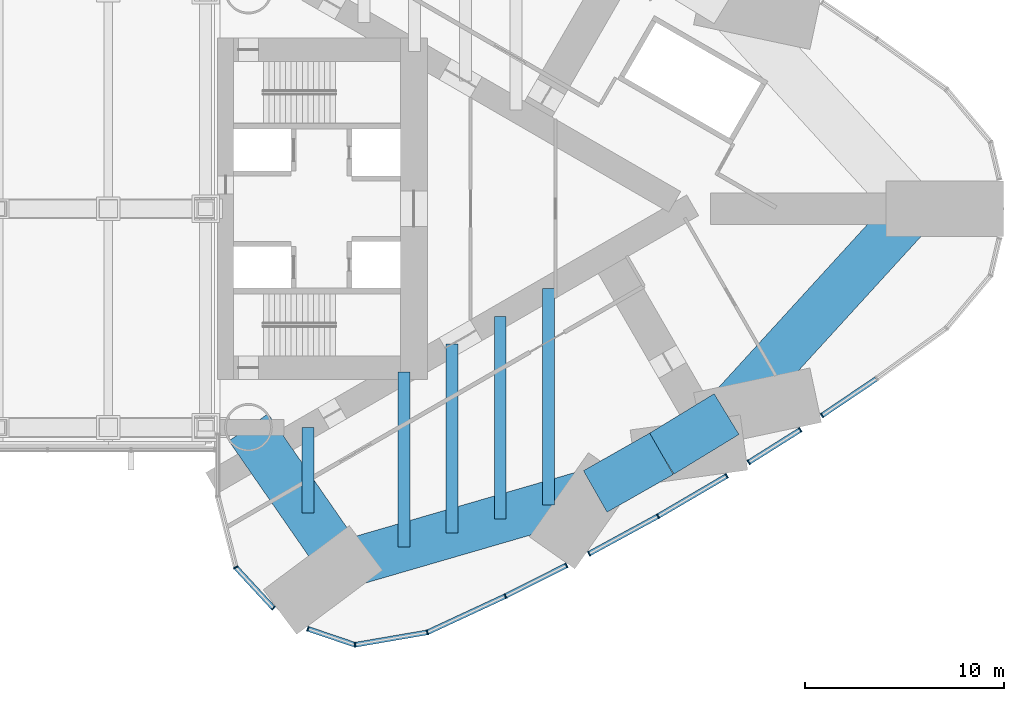
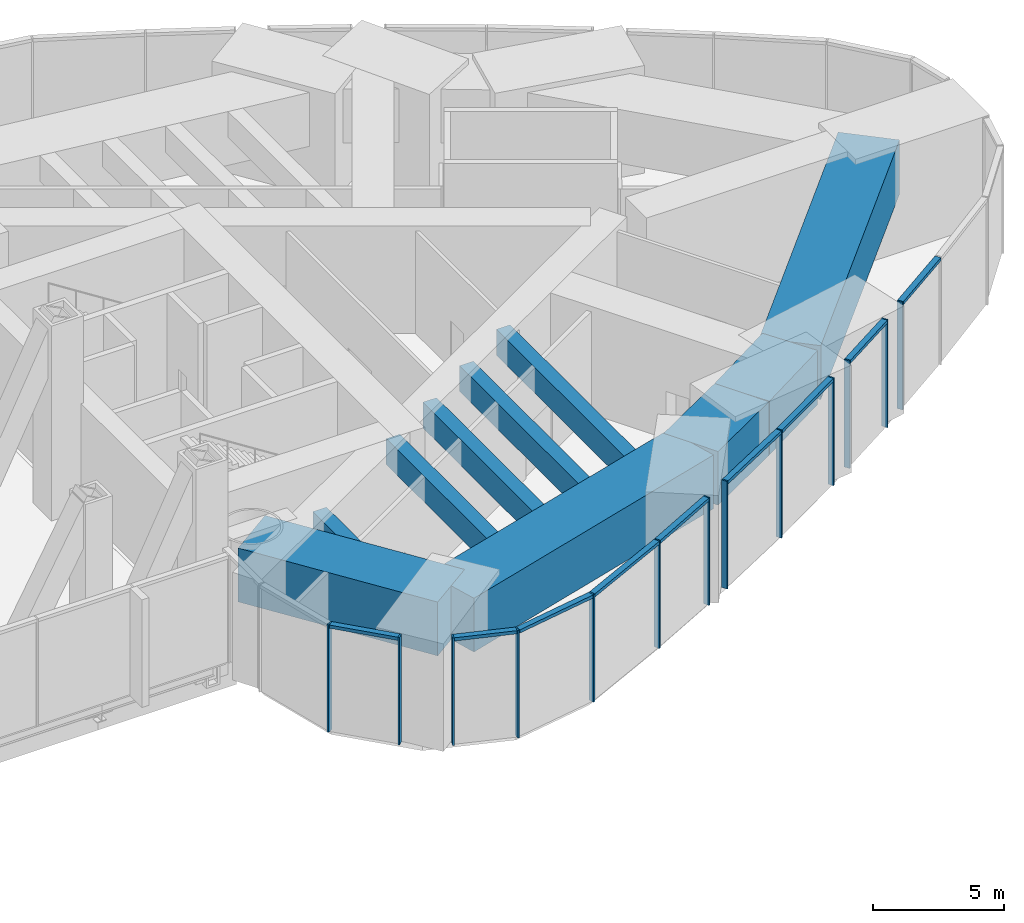
# One storey, part 9 of 21: 22 members, 10 beams, 5 elements without a shape of their own.
"""IFC4 building model written with IfcOpenShell, lengths in metres."""

from ifc_helpers import new_model, si_unit, direction, frame, origin, origin_2d, place, context, subcontext, project, spatial, rectangle, hollow_rectangle, extrude, material, material_profile, profile_set, type_object, element, aggregate, save


model = new_model("IFC4")

# Units and contexts
model_context = context("Model", 3, precision=1e-05, world=origin(), true_north=direction((0.0, 1.0)))
body_context = subcontext(model_context, "Body", "Model", "MODEL_VIEW")
ifc_project = project(units=[si_unit("LENGTHUNIT", "METRE"), si_unit("AREAUNIT", "SQUARE_METRE"), si_unit("VOLUMEUNIT", "CUBIC_METRE"), si_unit("PLANEANGLEUNIT", "RADIAN"), si_unit("MASSUNIT", "GRAM", prefix="KILO")], contexts=[model_context])

# Site, building, storey
site_placement = place(None, origin())
site = spatial("IfcSite", under=ifc_project, at=site_placement, CompositionType="ELEMENT")
building_placement = place(site_placement, origin())
building = spatial("IfcBuilding", under=site, at=building_placement, Name="Lancet Gate Hotel", CompositionType="ELEMENT")
storey_placement = place(building_placement, frame((0.0, 0.0, 205.300048828125)))
storey = spatial("IfcBuildingStorey", under=building, at=storey_placement, Name="L55", CompositionType="ELEMENT", Elevation=205.300048828125)

# Curtain wall, members
ifc_material_1 = material(Name="Aluminium curtain wall", Category="aluminium")
curtain_wall_type = type_object("IfcCurtainWallType", Name="Refuge storey louvred curtain wall", PredefinedType="USERDEFINED", material=ifc_material_1)
curtain_wall_1_placement = place(storey_placement, origin())
curtain_wall_1 = element("IfcCurtainWall", 1, at=curtain_wall_1_placement, inside=storey, type_object=curtain_wall_type, Name="T2 L55 curtain wall 1", ObjectType="LANTERN GLAZING", PredefinedType="USERDEFINED")
ifc_material_2 = material(Name="Aluminium mullion", Category="aluminium")
ifc_material_profile_1 = material_profile(ifc_material_2, rectangle(XDim=0.06494140625, YDim=0.25, at=origin_2d()), Name="MULLION 65x250")
ifc_profile_set_1 = profile_set([ifc_material_profile_1], Name="Aluminium mullion")
member_type_1 = type_object("IfcMemberType", Name="Aluminium mullion 65x250", PredefinedType="MULLION", material=ifc_profile_set_1)
member_1_placement = place(storey_placement, frame((28.408935546875, -18.04443359375, 0.0), z_axis=(0.0, 0.0, 1.0), x_axis=(0.446204766842, -0.894930894565, 0.0)))
member_1 = element("IfcMember", 2, at=member_1_placement, type_object=member_type_1, Name="T2 L55 curtain wall 1 mullion 3", PredefinedType="MULLION", context=body_context, shape_type="SweptSolid", body=[
    extrude(rectangle(XDim=0.06494140625, YDim=0.25, at=origin_2d()), origin(), (0.0, 0.0, 1.0), 5.0),
])
member_2_placement = place(storey_placement, frame((30.309326171875, -20.10009765625, 0.0), z_axis=(0.0, 0.0, 1.0), x_axis=(0.67883123083, -0.734294327943, 0.0)))
member_2 = element("IfcMember", 3, at=member_2_placement, type_object=member_type_1, Name="T2 L55 curtain wall 1 mullion 4", PredefinedType="MULLION", context=body_context, shape_type="SweptSolid", body=[
    extrude(rectangle(XDim=0.06494140625, YDim=0.25, at=origin_2d()), origin(), (0.0, 0.0, 1.0), 5.0),
])

curtain_wall_2_placement = place(storey_placement, origin())
curtain_wall_2 = element("IfcCurtainWall", 4, at=curtain_wall_2_placement, inside=storey, type_object=curtain_wall_type, Name="T2 L55 curtain wall 2", ObjectType="LANTERN GLAZING", PredefinedType="USERDEFINED")
member_3_placement = place(storey_placement, frame((32.04248046875, -21.13818359375, 0.0), z_axis=(0.0, 0.0, 1.0), x_axis=(0.946952368511, -0.321373943827, 0.0)))
member_3 = element("IfcMember", 5, at=member_3_placement, type_object=member_type_1, Name="T2 L55 curtain wall 2 mullion 1", PredefinedType="MULLION", context=body_context, shape_type="SweptSolid", body=[
    extrude(rectangle(XDim=0.06494140625, YDim=0.25, at=origin_2d()), origin(), (0.0, 0.0, 1.0), 5.0),
])
member_4_placement = place(storey_placement, frame((34.412109375, -21.9423828125, 0.0), z_axis=(0.0, 0.0, 1.0), x_axis=(0.999558824872, -0.029701104706, 0.0)))
member_4 = element("IfcMember", 6, at=member_4_placement, type_object=member_type_1, Name="T2 L55 curtain wall 2 mullion 2", PredefinedType="MULLION", context=body_context, shape_type="SweptSolid", body=[
    extrude(rectangle(XDim=0.06494140625, YDim=0.25, at=origin_2d()), origin(), (0.0, 0.0, 1.0), 5.0),
])
member_5_placement = place(storey_placement, frame((38.05126953125, -21.31689453125, 0.0), z_axis=(0.0, 0.0, 1.0), x_axis=(0.951355493327, 0.308095318555, 0.0)))
member_5 = element("IfcMember", 7, at=member_5_placement, type_object=member_type_1, Name="T2 L55 curtain wall 2 mullion 3", PredefinedType="MULLION", context=body_context, shape_type="SweptSolid", body=[
    extrude(rectangle(XDim=0.06494140625, YDim=0.25, at=origin_2d()), origin(), (0.0, 0.0, 1.0), 5.0),
])
member_6_placement = place(storey_placement, frame((41.98193359375, -19.490966796875, 0.0), z_axis=(0.0, 0.0, 1.0), x_axis=(0.900945073021, 0.433933146232, 0.0)))
member_6 = element("IfcMember", 8, at=member_6_placement, type_object=member_type_1, Name="T2 L55 curtain wall 2 mullion 4", PredefinedType="MULLION", context=body_context, shape_type="SweptSolid", body=[
    extrude(rectangle(XDim=0.06494140625, YDim=0.25, at=origin_2d()), origin(), (0.0, 0.0, 1.0), 5.0),
])
member_7_placement = place(storey_placement, frame((45.04443359375, -17.94873046875, 0.0), z_axis=(0.0, 0.0, 1.0), x_axis=(0.893121465596, 0.449815570752, 0.0)))
member_7 = element("IfcMember", 9, at=member_7_placement, type_object=member_type_1, Name="T2 L55 curtain wall 2 mullion 5", PredefinedType="MULLION", context=body_context, shape_type="SweptSolid", body=[
    extrude(rectangle(XDim=0.06494140625, YDim=0.25, at=origin_2d()), origin(), (0.0, 0.0, 1.0), 5.0),
])

curtain_wall_3_placement = place(storey_placement, origin())
curtain_wall_3 = element("IfcCurtainWall", 10, at=curtain_wall_3_placement, inside=storey, type_object=curtain_wall_type, Name="T2 L55 curtain wall 3", ObjectType="LANTERN GLAZING", PredefinedType="USERDEFINED")
member_8_placement = place(storey_placement, frame((46.186279296875, -17.360107421875, 0.0), z_axis=(0.0, 0.0, 1.0), x_axis=(0.878409907967, 0.477907976063, 0.0)))
member_8 = element("IfcMember", 11, at=member_8_placement, type_object=member_type_1, Name="T2 L55 curtain wall 3 mullion 1", PredefinedType="MULLION", context=body_context, shape_type="SweptSolid", body=[
    extrude(rectangle(XDim=0.06494140625, YDim=0.25, at=origin_2d()), origin(), (0.0, 0.0, 1.0), 5.0),
])
member_9_placement = place(storey_placement, frame((49.65966796875, -15.47021484375, 0.0), z_axis=(0.0, 0.0, 1.0), x_axis=(0.870672329718, 0.491863491492, 0.0)))
member_9 = element("IfcMember", 12, at=member_9_placement, type_object=member_type_1, Name="T2 L55 curtain wall 3 mullion 2", PredefinedType="MULLION", context=body_context, shape_type="SweptSolid", body=[
    extrude(rectangle(XDim=0.06494140625, YDim=0.25, at=origin_2d()), origin(), (0.0, 0.0, 1.0), 5.0),
])
member_10_placement = place(storey_placement, frame((53.114990234375, -13.44580078125, 0.0), z_axis=(0.0, 0.0, 1.0), x_axis=(0.862815009772, 0.505519790822, 0.0)))
member_10 = element("IfcMember", 13, at=member_10_placement, type_object=member_type_1, Name="T2 L55 curtain wall 3 mullion 3", PredefinedType="MULLION", context=body_context, shape_type="SweptSolid", body=[
    extrude(rectangle(XDim=0.06494140625, YDim=0.25, at=origin_2d()), origin(), (0.0, 0.0, 1.0), 5.0),
])

curtain_wall_4_placement = place(storey_placement, origin())
curtain_wall_4 = element("IfcCurtainWall", 14, at=curtain_wall_4_placement, inside=storey, type_object=curtain_wall_type, Name="T2 L55 curtain wall 4", ObjectType="LANTERN GLAZING", PredefinedType="USERDEFINED")
member_11_placement = place(storey_placement, frame((54.219970703125, -12.7626953125, 0.0), z_axis=(0.0, 0.0, 1.0), x_axis=(0.846352453444, 0.532623248225, 0.0)))
member_11 = element("IfcMember", 15, at=member_11_placement, type_object=member_type_1, Name="T2 L55 curtain wall 4 mullion 1", PredefinedType="MULLION", context=body_context, shape_type="SweptSolid", body=[
    extrude(rectangle(XDim=0.06494140625, YDim=0.25, at=origin_2d()), origin(), (0.0, 0.0, 1.0), 5.0),
])
member_12_placement = place(storey_placement, frame((56.81591796875, -11.129150390625, 0.0), z_axis=(0.0, 0.0, 1.0), x_axis=(0.846352453444, 0.532623248225, 0.0)))
member_12 = element("IfcMember", 16, at=member_12_placement, type_object=member_type_1, Name="T2 L55 curtain wall 4 mullion 2", PredefinedType="MULLION", context=body_context, shape_type="SweptSolid", body=[
    extrude(rectangle(XDim=0.06494140625, YDim=0.25, at=origin_2d()), origin(), (0.0, 0.0, 1.0), 5.0),
])

# Curtain wall, member
curtain_wall_5_placement = place(storey_placement, origin())
curtain_wall_5 = element("IfcCurtainWall", 17, at=curtain_wall_5_placement, inside=storey, type_object=curtain_wall_type, Name="T2 L55 curtain wall 5", ObjectType="LANTERN GLAZING", PredefinedType="USERDEFINED")
member_13_placement = place(storey_placement, frame((57.90673828125, -10.404541015625, 0.0), z_axis=(0.0, 0.0, 1.0), x_axis=(0.829038793948, 0.559191092677, 0.0)))
member_13 = element("IfcMember", 18, at=member_13_placement, type_object=member_type_1, Name="T2 L55 curtain wall 5 mullion 1", PredefinedType="MULLION", context=body_context, shape_type="SweptSolid", body=[
    extrude(rectangle(XDim=0.06494140625, YDim=0.25, at=origin_2d()), origin(), (0.0, 0.0, 1.0), 5.0),
])

# Member
ifc_material_3 = material(Name="Aluminium transom", Category="aluminium")
ifc_material_profile_2 = material_profile(ifc_material_3, rectangle(XDim=0.25, YDim=0.14990234375, at=origin_2d()), Name="TRANSOM 250x150")
ifc_profile_set_2 = profile_set([ifc_material_profile_2], Name="Aluminium transom")
member_type_2 = type_object("IfcMemberType", Name="Aluminium transom 250x150", PredefinedType="USERDEFINED", material=ifc_profile_set_2)
member_14_placement = place(storey_placement, frame((28.43115234375, -18.068359375, 4.925048828125), z_axis=(0.678791722298, -0.734330850326, 0.0), x_axis=(0.734330850326, 0.678791722298, 0.0)))
member_14 = element("IfcMember", 19, at=member_14_placement, type_object=member_type_2, Name="T2 L55 curtain wall 1 transom 3", ObjectType="TRANSOM", PredefinedType="USERDEFINED", context=body_context, shape_type="SweptSolid", body=[
    extrude(rectangle(XDim=0.25, YDim=0.14990234375, at=origin_2d()), origin(), (0.0, 0.0, 1.0), 2.734130859375),
])

aggregate(curtain_wall_1, [member_1, member_2, member_14])

member_15_placement = place(storey_placement, frame((32.0732421875, -21.148681640625, 4.925048828125), z_axis=(0.946936244004, -0.321421451979, 0.0), x_axis=(0.321421451979, 0.946936244004, 0.0)))
member_15 = element("IfcMember", 20, at=member_15_placement, type_object=member_type_2, Name="T2 L55 curtain wall 2 transom 1", ObjectType="TRANSOM", PredefinedType="USERDEFINED", context=body_context, shape_type="SweptSolid", body=[
    extrude(rectangle(XDim=0.25, YDim=0.14990234375, at=origin_2d()), origin(), (0.0, 0.0, 1.0), 2.4375),
])

member_16_placement = place(storey_placement, frame((34.444091796875, -21.93701171875, 4.925048828125), z_axis=(0.985536950873, 0.169460669373, 0.0), x_axis=(-0.169460669373, 0.985536950873, 0.0)))
member_16 = element("IfcMember", 21, at=member_16_placement, type_object=member_type_2, Name="T2 L55 curtain wall 2 transom 2", ObjectType="TRANSOM", PredefinedType="USERDEFINED", context=body_context, shape_type="SweptSolid", body=[
    extrude(rectangle(XDim=0.25, YDim=0.14990234375, at=origin_2d()), origin(), (0.0, 0.0, 1.0), 3.627685546875),
])

member_17_placement = place(storey_placement, frame((38.080810546875, -21.30322265625, 4.925048828125), z_axis=(0.906913768492, 0.421316290357, 0.0), x_axis=(-0.421316290357, 0.906913768492, 0.0)))
member_17 = element("IfcMember", 22, at=member_17_placement, type_object=member_type_2, Name="T2 L55 curtain wall 2 transom 3", ObjectType="TRANSOM", PredefinedType="USERDEFINED", context=body_context, shape_type="SweptSolid", body=[
    extrude(rectangle(XDim=0.25, YDim=0.14990234375, at=origin_2d()), origin(), (0.0, 0.0, 1.0), 4.26904296875),
])

member_18_placement = place(storey_placement, frame((42.010986328125, -19.476318359375, 4.925048828125), z_axis=(0.893146167773, 0.449766520534, 0.0), x_axis=(-0.449766520534, 0.893146167773, 0.0)))
member_18 = element("IfcMember", 23, at=member_18_placement, type_object=member_type_2, Name="T2 L55 curtain wall 2 transom 4", ObjectType="TRANSOM", PredefinedType="USERDEFINED", context=body_context, shape_type="SweptSolid", body=[
    extrude(rectangle(XDim=0.25, YDim=0.14990234375, at=origin_2d()), origin(), (0.0, 0.0, 1.0), 3.36376953125),
])

aggregate(curtain_wall_2, [member_3, member_4, member_5, member_6, member_7, member_15, member_16, member_17, member_18])

member_19_placement = place(storey_placement, frame((46.21484375, -17.344482421875, 4.925048828125), z_axis=(0.878410858378, 0.477906229174, 0.0), x_axis=(-0.477906229174, 0.878410858378, 0.0)))
member_19 = element("IfcMember", 24, at=member_19_placement, type_object=member_type_2, Name="T2 L55 curtain wall 3 transom 1", ObjectType="TRANSOM", PredefinedType="USERDEFINED", context=body_context, shape_type="SweptSolid", body=[
    extrude(rectangle(XDim=0.25, YDim=0.14990234375, at=origin_2d()), origin(), (0.0, 0.0, 1.0), 3.88916015625),
])

member_20_placement = place(storey_placement, frame((49.687744140625, -15.453857421875, 4.925048828125), z_axis=(0.862815408154, 0.505519110868, 0.0), x_axis=(-0.505519110868, 0.862815408154, 0.0)))
member_20 = element("IfcMember", 25, at=member_20_placement, type_object=member_type_2, Name="T2 L55 curtain wall 3 transom 2", ObjectType="TRANSOM", PredefinedType="USERDEFINED", context=body_context, shape_type="SweptSolid", body=[
    extrude(rectangle(XDim=0.25, YDim=0.14990234375, at=origin_2d()), origin(), (0.0, 0.0, 1.0), 3.93994140625),
])

aggregate(curtain_wall_3, [member_8, member_9, member_10, member_19, member_20])

member_21_placement = place(storey_placement, frame((54.24755859375, -12.74560546875, 4.925048828125), z_axis=(0.846326531975, 0.532664435902, 0.0), x_axis=(-0.532664435902, 0.846326531975, 0.0)))
member_21 = element("IfcMember", 26, at=member_21_placement, type_object=member_type_2, Name="T2 L55 curtain wall 4 transom 1", ObjectType="TRANSOM", PredefinedType="USERDEFINED", context=body_context, shape_type="SweptSolid", body=[
    extrude(rectangle(XDim=0.25, YDim=0.14990234375, at=origin_2d()), origin(), (0.0, 0.0, 1.0), 3.002197265625),
])

aggregate(curtain_wall_4, [member_11, member_12, member_21])

member_22_placement = place(storey_placement, frame((57.933837890625, -10.386474609375, 4.925048828125), z_axis=(0.829038986246, 0.559190807581, 0.0), x_axis=(-0.559190807581, 0.829038986246, 0.0)))
member_22 = element("IfcMember", 27, at=member_22_placement, type_object=member_type_2, Name="T2 L55 curtain wall 5 transom 1", ObjectType="TRANSOM", PredefinedType="USERDEFINED", context=body_context, shape_type="SweptSolid", body=[
    extrude(rectangle(XDim=0.25, YDim=0.14990234375, at=origin_2d()), origin(), (0.0, 0.0, 1.0), 3.256103515625),
])

aggregate(curtain_wall_5, [member_13, member_22])

# Beams
ifc_material_4 = material(Name="Steel S460QL", Category="steel")
ifc_material_profile_3 = material_profile(ifc_material_4, hollow_rectangle(XDim=0.60009765625, YDim=1.199951171875, WallThickness=0.050048828125, at=origin_2d()), Name="BOX 1200x600x50")
ifc_profile_set_3 = profile_set([ifc_material_profile_3], Name="Steel S460QL")
beam_type_1 = type_object("IfcBeamType", Name="Refuge floor beam BOX 1200x600x50", PredefinedType="BEAM", material=ifc_profile_set_3)
beam_1_placement = place(storey_placement, frame((32.04052734375, -15.31396484375, 4.14990234375), z_axis=(0.0, 1.0, 0.0), x_axis=(-1.0, 0.0, 0.0)))
element("IfcBeam", 28, at=beam_1_placement, inside=storey, type_object=beam_type_1, Name="T2 floor beam F01S L55", PredefinedType="BEAM", context=body_context, shape_type="SweptSolid", body=[
    extrude(hollow_rectangle(XDim=0.60009765625, YDim=1.199951171875, WallThickness=0.050048828125, at=origin_2d()), origin(), (0.0, 0.0, 1.0), 4.30859375),
])
beam_2_placement = place(storey_placement, frame((36.880859375, -17.021240234375, 4.14990234375), z_axis=(0.0, 1.0, 0.0), x_axis=(-1.0, 0.0, 0.0)))
element("IfcBeam", 29, at=beam_2_placement, inside=storey, type_object=beam_type_1, Name="T2 floor beam F03S L55", PredefinedType="BEAM", context=body_context, shape_type="SweptSolid", body=[
    extrude(hollow_rectangle(XDim=0.60009765625, YDim=1.199951171875, WallThickness=0.050048828125, at=origin_2d()), origin(), (0.0, 0.0, 1.0), 8.810546875),
])
beam_3_placement = place(storey_placement, frame((39.301025390625, -16.31787109375, 4.14990234375), z_axis=(0.0, 1.0, 0.0), x_axis=(-1.0, 0.0, 0.0)))
element("IfcBeam", 30, at=beam_3_placement, inside=storey, type_object=beam_type_1, Name="T2 floor beam F05S L55", PredefinedType="BEAM", context=body_context, shape_type="SweptSolid", body=[
    extrude(hollow_rectangle(XDim=0.60009765625, YDim=1.199951171875, WallThickness=0.050048828125, at=origin_2d()), origin(), (0.0, 0.0, 1.0), 9.50439453125),
])
beam_4_placement = place(storey_placement, frame((41.721435546875, -15.6142578125, 4.14990234375), z_axis=(0.0, 1.0, 0.0), x_axis=(-1.0, 0.0, 0.0)))
element("IfcBeam", 31, at=beam_4_placement, inside=storey, type_object=beam_type_1, Name="T2 floor beam F07S L55", PredefinedType="BEAM", context=body_context, shape_type="SweptSolid", body=[
    extrude(hollow_rectangle(XDim=0.60009765625, YDim=1.199951171875, WallThickness=0.050048828125, at=origin_2d()), origin(), (0.0, 0.0, 1.0), 10.1982421875),
])
beam_5_placement = place(storey_placement, frame((44.1416015625, -14.910888671875, 4.14990234375), z_axis=(0.0, 1.0, 0.0), x_axis=(-1.0, 0.0, 0.0)))
element("IfcBeam", 32, at=beam_5_placement, inside=storey, type_object=beam_type_1, Name="T2 floor beam F09S L55", PredefinedType="BEAM", context=body_context, shape_type="SweptSolid", body=[
    extrude(hollow_rectangle(XDim=0.60009765625, YDim=1.199951171875, WallThickness=0.050048828125, at=origin_2d()), origin(), (0.0, 0.0, 1.0), 10.89208984375),
])
ifc_material_5 = material(Name="Concrete C50/60", Category="concrete")
ifc_material_profile_4 = material_profile(ifc_material_5, rectangle(XDim=2.39990234375, YDim=2.5, at=origin_2d()), Name="RC 2400x2500")
ifc_profile_set_4 = profile_set([ifc_material_profile_4], Name="Concrete C50/60")
beam_type_2 = type_object("IfcBeamType", Name="Tie ring beam RC 2400x2500", PredefinedType="SPANDREL", material=ifc_profile_set_4)
beam_6_placement = place(storey_placement, frame((33.837158203125, -17.906005859375, 3.5), z_axis=(0.960258384252, 0.279112585659, 0.0), x_axis=(-0.279112585659, 0.960258384252, 0.0)))
element("IfcBeam", 33, at=beam_6_placement, inside=storey, type_object=beam_type_2, Name="T2 tie ring beam RG1 L55", PredefinedType="SPANDREL", context=body_context, shape_type="SweptSolid", body=[
    extrude(rectangle(XDim=2.39990234375, YDim=2.5, at=origin_2d()), origin(), (0.0, 0.0, 1.0), 13.18603515625),
])
beam_7_placement = place(storey_placement, frame((46.499267578125, -14.2255859375, 3.5), z_axis=(0.869560321562, 0.493826738001, 0.0), x_axis=(-0.493826738001, 0.869560321562, 0.0)))
element("IfcBeam", 34, at=beam_7_placement, inside=storey, type_object=beam_type_2, Name="T2 tie ring beam RG1 L55", PredefinedType="SPANDREL", context=body_context, shape_type="SweptSolid", body=[
    extrude(rectangle(XDim=2.39990234375, YDim=2.5, at=origin_2d()), origin(), (0.0, 0.0, 1.0), 3.8349609375),
])
beam_8_placement = place(storey_placement, frame((49.833984375, -12.331787109375, 3.5), z_axis=(0.853604257265, 0.520922040212, 0.0), x_axis=(-0.520922040212, 0.853604257265, 0.0)))
element("IfcBeam", 35, at=beam_8_placement, inside=storey, type_object=beam_type_2, Name="T2 tie ring beam RG1 L55", PredefinedType="SPANDREL", context=body_context, shape_type="SweptSolid", body=[
    extrude(rectangle(XDim=2.39990234375, YDim=2.5, at=origin_2d()), origin(), (0.0, 0.0, 1.0), 3.835205078125),
])
beam_9_placement = place(storey_placement, frame((53.107666015625, -10.333984375, 3.5), z_axis=(0.674209372947, 0.738540263919, 0.0), x_axis=(-0.738540263919, 0.674209372947, 0.0)))
element("IfcBeam", 36, at=beam_9_placement, inside=storey, type_object=beam_type_2, Name="T2 tie ring beam RG1 L55", PredefinedType="SPANDREL", context=body_context, shape_type="SweptSolid", body=[
    extrude(rectangle(XDim=2.39990234375, YDim=2.5, at=origin_2d()), origin(), (0.0, 0.0, 1.0), 13.992431640625),
])
beam_10_placement = place(storey_placement, frame((33.837158203125, -17.906005859375, 3.5), z_axis=(-0.569694852599, 0.821856298219, 0.0), x_axis=(-0.821856298219, -0.569694852599, 0.0)))
element("IfcBeam", 37, at=beam_10_placement, inside=storey, type_object=beam_type_2, Name="T2 tie ring beam RG1 L55", PredefinedType="SPANDREL", context=body_context, shape_type="SweptSolid", body=[
    extrude(rectangle(XDim=2.39990234375, YDim=2.5, at=origin_2d()), origin(), (0.0, 0.0, 1.0), 8.40283203125),
])

save(model, "model.ifc")
